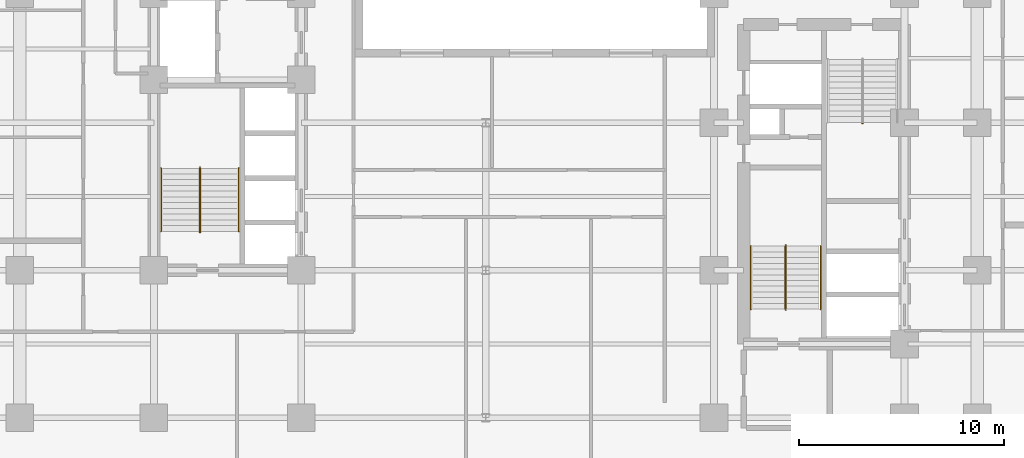
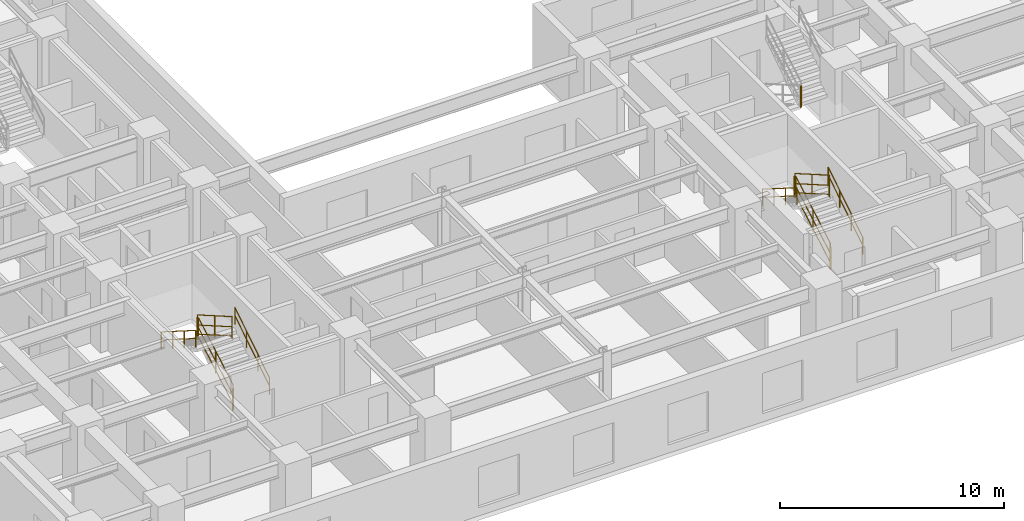
# One storey, part 7 of 9: 13 railings.
"""IFC4 building model written with IfcOpenShell, lengths in metres."""

from ifc_helpers import new_model, entity, si_unit, converted_unit, direction, frame, origin_with_axes, origin_2d_with_axis, place, context, subcontext, project, spatial, rectangle, circle, extrude, material, type_object, element, save


model = new_model("IFC4")

# Units and contexts
model_context = context("Model", 3, precision=1e-05, world=origin_with_axes(), true_north=direction((0.0, 1.0)))
body_context = subcontext(model_context, "Body", "Model", "MODEL_VIEW")
ifc_project = project(units=[si_unit("LENGTHUNIT", "METRE"), si_unit("AREAUNIT", "SQUARE_METRE"), si_unit("VOLUMEUNIT", "CUBIC_METRE"), converted_unit("PLANEANGLEUNIT", "DEGREE", entity("IfcPlaneAngleMeasure", 0.017453292519943295), si_unit("PLANEANGLEUNIT", "RADIAN"), dimensions=[0, 0, 0, 0, 0, 0, 0]), si_unit("MASSUNIT", "GRAM", prefix="KILO"), si_unit("THERMODYNAMICTEMPERATUREUNIT", "KELVIN")], contexts=[model_context])

# Site, building, storey
site_placement = place(None, origin_with_axes())
site = spatial("IfcSite", under=ifc_project, at=site_placement, CompositionType="ELEMENT")
building_placement = place(site_placement, origin_with_axes())
building = spatial("IfcBuilding", under=site, at=building_placement, Name="Varnlund Millrace Tower", CompositionType="ELEMENT")
storey_placement = place(building_placement, frame((0.0, 0.0, 60.0), z_axis=(0.0, 0.0, 1.0), x_axis=(1.0, 0.0, 0.0)))
storey = spatial("IfcBuildingStorey", under=building, at=storey_placement, Name="L14", CompositionType="ELEMENT", Elevation=60.0)

# Railings
ifc_material_1 = material(Name="Painted steel stair well balustrade guard", Category="steel")
railing_type_1 = type_object("IfcRailingType", Name="Type-StairGuard-1150", PredefinedType="GUARDRAIL", material=ifc_material_1)
railing_1_placement = place(storey_placement, frame((0.0, 0.0, -60.0), z_axis=(0.0, 0.0, 1.0), x_axis=(1.0, 0.0, 0.0)))
element("IfcRailing", 1, at=railing_1_placement, inside=storey, type_object=railing_type_1, Name="Type-StairGuard-1150", PredefinedType="GUARDRAIL", context=body_context, shape_type="SweptSolid", body=[
    extrude(circle(Radius=0.024, at=origin_2d_with_axis()), frame((13.675, 12.7, 61.327273), z_axis=(0.0, 0.866696, 0.498836), x_axis=(-1.0, 0.0, 0.0)), (0.0, 0.0, 1.0), 3.553725),
    extrude(circle(Radius=0.024, at=origin_2d_with_axis()), frame((13.675, 12.7, 60.277273), z_axis=(0.0, 0.866696, 0.498836), x_axis=(-1.0, 0.0, 0.0)), (0.0, 0.0, 1.0), 3.553725),
    extrude(circle(Radius=0.024, at=origin_2d_with_axis()), frame((13.675, 12.7, 60.775273), z_axis=(0.0, 0.866696, 0.498836), x_axis=(-1.0, 0.0, 0.0)), (0.0, 0.0, 1.0), 3.553725),
    extrude(rectangle(XDim=0.04, YDim=0.04, at=origin_2d_with_axis()), frame((13.675, 12.7, 60.137273), z_axis=(0.0, 0.0, 1.0), x_axis=(1.0, 0.0, 0.0)), (0.0, 0.0, 1.0), 1.19),
    extrude(rectangle(XDim=0.04, YDim=0.04, at=origin_2d_with_axis()), frame((13.675, 14.24, 61.023637), z_axis=(0.0, 0.0, 1.0), x_axis=(1.0, 0.0, 0.0)), (0.0, 0.0, 1.0), 1.19),
    extrude(rectangle(XDim=0.04, YDim=0.04, at=origin_2d_with_axis()), frame((13.675, 15.78, 61.91), z_axis=(0.0, 0.0, 1.0), x_axis=(1.0, 0.0, 0.0)), (0.0, 0.0, 1.0), 1.19),
])
railing_2_placement = place(storey_placement, frame((0.0, 0.0, -60.0), z_axis=(0.0, 0.0, 1.0), x_axis=(1.0, 0.0, 0.0)))
element("IfcRailing", 2, at=railing_2_placement, inside=storey, type_object=railing_type_1, Name="Type-StairGuard-1150", PredefinedType="GUARDRAIL", context=body_context, shape_type="SweptSolid", body=[
    extrude(circle(Radius=0.024, at=origin_2d_with_axis()), frame((13.625, 15.83, 63.1), z_axis=(1.0, 0.0, 0.0), x_axis=(0.0, 1.0, 0.0)), (0.0, 0.0, 1.0), 0.05),
    extrude(circle(Radius=0.024, at=origin_2d_with_axis()), frame((13.625, 15.83, 62.05), z_axis=(1.0, 0.0, 0.0), x_axis=(0.0, 1.0, 0.0)), (0.0, 0.0, 1.0), 0.05),
    extrude(circle(Radius=0.024, at=origin_2d_with_axis()), frame((13.625, 15.83, 62.548), z_axis=(1.0, 0.0, 0.0), x_axis=(0.0, 1.0, 0.0)), (0.0, 0.0, 1.0), 0.05),
    extrude(rectangle(XDim=0.04, YDim=0.04, at=origin_2d_with_axis()), frame((13.625, 15.83, 61.91), z_axis=(0.0, 0.0, 1.0), x_axis=(1.0, 0.0, 0.0)), (0.0, 0.0, 1.0), 1.19),
    extrude(rectangle(XDim=0.04, YDim=0.04, at=origin_2d_with_axis()), frame((13.675, 15.83, 61.91), z_axis=(0.0, 0.0, 1.0), x_axis=(1.0, 0.0, 0.0)), (0.0, 0.0, 1.0), 1.19),
])
railing_3_placement = place(storey_placement, frame((0.0, 0.0, -60.0), z_axis=(0.0, 0.0, 1.0), x_axis=(1.0, 0.0, 0.0)))
element("IfcRailing", 3, at=railing_3_placement, inside=storey, type_object=railing_type_1, Name="Type-StairGuard-1150", PredefinedType="GUARDRAIL", context=body_context, shape_type="SweptSolid", body=[
    extrude(circle(Radius=0.024, at=origin_2d_with_axis()), frame((13.625, 15.78, 63.277273), z_axis=(0.0, -0.866696, 0.498836), x_axis=(1.0, 0.0, 0.0)), (0.0, 0.0, 1.0), 3.553725),
    extrude(circle(Radius=0.024, at=origin_2d_with_axis()), frame((13.625, 15.78, 62.227273), z_axis=(0.0, -0.866696, 0.498836), x_axis=(1.0, 0.0, 0.0)), (0.0, 0.0, 1.0), 3.553725),
    extrude(circle(Radius=0.024, at=origin_2d_with_axis()), frame((13.625, 15.78, 62.725273), z_axis=(0.0, -0.866696, 0.498836), x_axis=(1.0, 0.0, 0.0)), (0.0, 0.0, 1.0), 3.553725),
    extrude(rectangle(XDim=0.04, YDim=0.04, at=origin_2d_with_axis()), frame((13.625, 15.78, 62.087273), z_axis=(0.0, 0.0, 1.0), x_axis=(1.0, 0.0, 0.0)), (0.0, 0.0, 1.0), 1.19),
    extrude(rectangle(XDim=0.04, YDim=0.04, at=origin_2d_with_axis()), frame((13.625, 14.24, 62.973637), z_axis=(0.0, 0.0, 1.0), x_axis=(1.0, 0.0, 0.0)), (0.0, 0.0, 1.0), 1.19),
    extrude(rectangle(XDim=0.04, YDim=0.04, at=origin_2d_with_axis()), frame((13.625, 12.7, 63.86), z_axis=(0.0, 0.0, 1.0), x_axis=(1.0, 0.0, 0.0)), (0.0, 0.0, 1.0), 1.19),
])
railing_4_placement = place(storey_placement, frame((0.0, 0.0, -60.0), z_axis=(0.0, 0.0, 1.0), x_axis=(1.0, 0.0, 0.0)))
element("IfcRailing", 4, at=railing_4_placement, inside=storey, type_object=railing_type_1, Name="Type-StairGuard-1150", PredefinedType="GUARDRAIL", context=body_context, shape_type="SweptSolid", body=[
    extrude(circle(Radius=0.024, at=origin_2d_with_axis()), frame((13.625, 12.65, 61.15), z_axis=(1.0, 0.0, 0.0), x_axis=(0.0, 1.0, 0.0)), (0.0, 0.0, 1.0), 0.05),
    extrude(circle(Radius=0.024, at=origin_2d_with_axis()), frame((13.625, 12.65, 60.1), z_axis=(1.0, 0.0, 0.0), x_axis=(0.0, 1.0, 0.0)), (0.0, 0.0, 1.0), 0.05),
    extrude(circle(Radius=0.024, at=origin_2d_with_axis()), frame((13.625, 12.65, 60.598), z_axis=(1.0, 0.0, 0.0), x_axis=(0.0, 1.0, 0.0)), (0.0, 0.0, 1.0), 0.05),
    extrude(rectangle(XDim=0.04, YDim=0.04, at=origin_2d_with_axis()), frame((13.625, 12.65, 59.96), z_axis=(0.0, 0.0, 1.0), x_axis=(1.0, 0.0, 0.0)), (0.0, 0.0, 1.0), 1.19),
    extrude(rectangle(XDim=0.04, YDim=0.04, at=origin_2d_with_axis()), frame((13.675, 12.65, 59.96), z_axis=(0.0, 0.0, 1.0), x_axis=(1.0, 0.0, 0.0)), (0.0, 0.0, 1.0), 1.19),
])
railing_5_placement = place(storey_placement, frame((0.0, 0.0, -60.0), z_axis=(0.0, 0.0, 1.0), x_axis=(1.0, 0.0, 0.0)))
element("IfcRailing", 5, at=railing_5_placement, inside=storey, type_object=railing_type_1, Name="Type-StairGuard-1150", PredefinedType="GUARDRAIL", context=body_context, shape_type="SweptSolid", body=[
    extrude(circle(Radius=0.024, at=origin_2d_with_axis()), frame((42.275, 8.9, 61.327273), z_axis=(0.0, 0.866696, 0.498836), x_axis=(-1.0, 0.0, 0.0)), (0.0, 0.0, 1.0), 3.553725),
    extrude(circle(Radius=0.024, at=origin_2d_with_axis()), frame((42.275, 8.9, 60.277273), z_axis=(0.0, 0.866696, 0.498836), x_axis=(-1.0, 0.0, 0.0)), (0.0, 0.0, 1.0), 3.553725),
    extrude(circle(Radius=0.024, at=origin_2d_with_axis()), frame((42.275, 8.9, 60.775273), z_axis=(0.0, 0.866696, 0.498836), x_axis=(-1.0, 0.0, 0.0)), (0.0, 0.0, 1.0), 3.553725),
    extrude(rectangle(XDim=0.04, YDim=0.04, at=origin_2d_with_axis()), frame((42.275, 8.9, 60.137273), z_axis=(0.0, 0.0, 1.0), x_axis=(1.0, 0.0, 0.0)), (0.0, 0.0, 1.0), 1.19),
    extrude(rectangle(XDim=0.04, YDim=0.04, at=origin_2d_with_axis()), frame((42.275, 10.44, 61.023637), z_axis=(0.0, 0.0, 1.0), x_axis=(1.0, 0.0, 0.0)), (0.0, 0.0, 1.0), 1.19),
    extrude(rectangle(XDim=0.04, YDim=0.04, at=origin_2d_with_axis()), frame((42.275, 11.98, 61.91), z_axis=(0.0, 0.0, 1.0), x_axis=(1.0, 0.0, 0.0)), (0.0, 0.0, 1.0), 1.19),
])
railing_6_placement = place(storey_placement, frame((0.0, 0.0, -60.0), z_axis=(0.0, 0.0, 1.0), x_axis=(1.0, 0.0, 0.0)))
element("IfcRailing", 6, at=railing_6_placement, inside=storey, type_object=railing_type_1, Name="Type-StairGuard-1150", PredefinedType="GUARDRAIL", context=body_context, shape_type="SweptSolid", body=[
    extrude(circle(Radius=0.024, at=origin_2d_with_axis()), frame((42.225, 12.03, 63.1), z_axis=(1.0, 0.0, 0.0), x_axis=(0.0, 1.0, 0.0)), (0.0, 0.0, 1.0), 0.05),
    extrude(circle(Radius=0.024, at=origin_2d_with_axis()), frame((42.225, 12.03, 62.05), z_axis=(1.0, 0.0, 0.0), x_axis=(0.0, 1.0, 0.0)), (0.0, 0.0, 1.0), 0.05),
    extrude(circle(Radius=0.024, at=origin_2d_with_axis()), frame((42.225, 12.03, 62.548), z_axis=(1.0, 0.0, 0.0), x_axis=(0.0, 1.0, 0.0)), (0.0, 0.0, 1.0), 0.05),
    extrude(rectangle(XDim=0.04, YDim=0.04, at=origin_2d_with_axis()), frame((42.225, 12.03, 61.91), z_axis=(0.0, 0.0, 1.0), x_axis=(1.0, 0.0, 0.0)), (0.0, 0.0, 1.0), 1.19),
    extrude(rectangle(XDim=0.04, YDim=0.04, at=origin_2d_with_axis()), frame((42.275, 12.03, 61.91), z_axis=(0.0, 0.0, 1.0), x_axis=(1.0, 0.0, 0.0)), (0.0, 0.0, 1.0), 1.19),
])
railing_7_placement = place(storey_placement, frame((0.0, 0.0, -60.0), z_axis=(0.0, 0.0, 1.0), x_axis=(1.0, 0.0, 0.0)))
element("IfcRailing", 7, at=railing_7_placement, inside=storey, type_object=railing_type_1, Name="Type-StairGuard-1150", PredefinedType="GUARDRAIL", context=body_context, shape_type="SweptSolid", body=[
    extrude(circle(Radius=0.024, at=origin_2d_with_axis()), frame((42.225, 11.98, 63.277273), z_axis=(0.0, -0.866696, 0.498836), x_axis=(1.0, 0.0, 0.0)), (0.0, 0.0, 1.0), 3.553725),
    extrude(circle(Radius=0.024, at=origin_2d_with_axis()), frame((42.225, 11.98, 62.227273), z_axis=(0.0, -0.866696, 0.498836), x_axis=(1.0, 0.0, 0.0)), (0.0, 0.0, 1.0), 3.553725),
    extrude(circle(Radius=0.024, at=origin_2d_with_axis()), frame((42.225, 11.98, 62.725273), z_axis=(0.0, -0.866696, 0.498836), x_axis=(1.0, 0.0, 0.0)), (0.0, 0.0, 1.0), 3.553725),
    extrude(rectangle(XDim=0.04, YDim=0.04, at=origin_2d_with_axis()), frame((42.225, 11.98, 62.087273), z_axis=(0.0, 0.0, 1.0), x_axis=(1.0, 0.0, 0.0)), (0.0, 0.0, 1.0), 1.19),
    extrude(rectangle(XDim=0.04, YDim=0.04, at=origin_2d_with_axis()), frame((42.225, 10.44, 62.973637), z_axis=(0.0, 0.0, 1.0), x_axis=(1.0, 0.0, 0.0)), (0.0, 0.0, 1.0), 1.19),
    extrude(rectangle(XDim=0.04, YDim=0.04, at=origin_2d_with_axis()), frame((42.225, 8.9, 63.86), z_axis=(0.0, 0.0, 1.0), x_axis=(1.0, 0.0, 0.0)), (0.0, 0.0, 1.0), 1.19),
])
railing_8_placement = place(storey_placement, frame((0.0, 0.0, -60.0), z_axis=(0.0, 0.0, 1.0), x_axis=(1.0, 0.0, 0.0)))
element("IfcRailing", 8, at=railing_8_placement, inside=storey, type_object=railing_type_1, Name="Type-StairGuard-1150", PredefinedType="GUARDRAIL", context=body_context, shape_type="SweptSolid", body=[
    extrude(circle(Radius=0.024, at=origin_2d_with_axis()), frame((42.225, 8.85, 61.15), z_axis=(1.0, 0.0, 0.0), x_axis=(0.0, 1.0, 0.0)), (0.0, 0.0, 1.0), 0.05),
    extrude(circle(Radius=0.024, at=origin_2d_with_axis()), frame((42.225, 8.85, 60.1), z_axis=(1.0, 0.0, 0.0), x_axis=(0.0, 1.0, 0.0)), (0.0, 0.0, 1.0), 0.05),
    extrude(circle(Radius=0.024, at=origin_2d_with_axis()), frame((42.225, 8.85, 60.598), z_axis=(1.0, 0.0, 0.0), x_axis=(0.0, 1.0, 0.0)), (0.0, 0.0, 1.0), 0.05),
    extrude(rectangle(XDim=0.04, YDim=0.04, at=origin_2d_with_axis()), frame((42.225, 8.85, 59.96), z_axis=(0.0, 0.0, 1.0), x_axis=(1.0, 0.0, 0.0)), (0.0, 0.0, 1.0), 1.19),
    extrude(rectangle(XDim=0.04, YDim=0.04, at=origin_2d_with_axis()), frame((42.275, 8.85, 59.96), z_axis=(0.0, 0.0, 1.0), x_axis=(1.0, 0.0, 0.0)), (0.0, 0.0, 1.0), 1.19),
])
railing_9_placement = place(storey_placement, frame((0.0, 0.0, -60.0), z_axis=(0.0, 0.0, 1.0), x_axis=(1.0, 0.0, 0.0)))
element("IfcRailing", 9, at=railing_9_placement, inside=storey, type_object=railing_type_1, Name="Type-StairGuard-1150", PredefinedType="GUARDRAIL", context=body_context, shape_type="SweptSolid", body=[
    extrude(circle(Radius=0.024, at=origin_2d_with_axis()), frame((46.025, 17.97, 63.1), z_axis=(-1.0, 0.0, 0.0), x_axis=(0.0, -1.0, 0.0)), (0.0, 0.0, 1.0), 0.05),
    extrude(circle(Radius=0.024, at=origin_2d_with_axis()), frame((46.025, 17.97, 62.05), z_axis=(-1.0, 0.0, 0.0), x_axis=(0.0, -1.0, 0.0)), (0.0, 0.0, 1.0), 0.05),
    extrude(circle(Radius=0.024, at=origin_2d_with_axis()), frame((46.025, 17.97, 62.548), z_axis=(-1.0, 0.0, 0.0), x_axis=(0.0, -1.0, 0.0)), (0.0, 0.0, 1.0), 0.05),
    extrude(rectangle(XDim=0.04, YDim=0.04, at=origin_2d_with_axis()), frame((46.025, 17.97, 61.91), z_axis=(0.0, 0.0, 1.0), x_axis=(1.0, 0.0, 0.0)), (0.0, 0.0, 1.0), 1.19),
    extrude(rectangle(XDim=0.04, YDim=0.04, at=origin_2d_with_axis()), frame((45.975, 17.97, 61.91), z_axis=(0.0, 0.0, 1.0), x_axis=(1.0, 0.0, 0.0)), (0.0, 0.0, 1.0), 1.19),
])
ifc_material_2 = material(Name="Brushed architectural bronze stair handrail", Category="aluminium")
railing_type_2 = type_object("IfcRailingType", Name="Type-StairHandrail-900", PredefinedType="HANDRAIL", material=ifc_material_2)
railing_10_placement = place(storey_placement, frame((0.0, 0.0, -60.0), z_axis=(0.0, 0.0, 1.0), x_axis=(1.0, 0.0, 0.0)))
element("IfcRailing", 10, at=railing_10_placement, inside=storey, type_object=railing_type_2, Name="Type-StairHandrail-900", PredefinedType="HANDRAIL", context=body_context, shape_type="SweptSolid", body=[
    extrude(circle(Radius=0.024, at=origin_2d_with_axis()), frame((15.55, 12.7, 61.056995), z_axis=(0.0, 0.844902, 0.534922), x_axis=(-1.0, 0.0, 0.0)), (0.0, 0.0, 1.0), 3.645394),
    extrude(circle(Radius=0.024, at=origin_2d_with_axis()), frame((15.55, 12.7, 60.617134), z_axis=(0.0, 0.844902, 0.534922), x_axis=(-1.0, 0.0, 0.0)), (0.0, 0.0, 1.0), 3.645394),
    extrude(rectangle(XDim=0.04, YDim=0.04, at=origin_2d_with_axis()), frame((15.55, 12.7, 60.137273), z_axis=(0.0, 0.0, 1.0), x_axis=(1.0, 0.0, 0.0)), (0.0, 0.0, 1.0), 0.919722),
    extrude(rectangle(XDim=0.04, YDim=0.04, at=origin_2d_with_axis()), frame((15.55, 13.726667, 60.787273), z_axis=(0.0, 0.0, 1.0), x_axis=(1.0, 0.0, 0.0)), (0.0, 0.0, 1.0), 0.919722),
    extrude(rectangle(XDim=0.04, YDim=0.04, at=origin_2d_with_axis()), frame((15.55, 14.753333, 61.437273), z_axis=(0.0, 0.0, 1.0), x_axis=(1.0, 0.0, 0.0)), (0.0, 0.0, 1.0), 0.919722),
    extrude(rectangle(XDim=0.04, YDim=0.04, at=origin_2d_with_axis()), frame((15.55, 15.78, 62.087273), z_axis=(0.0, 0.0, 1.0), x_axis=(1.0, 0.0, 0.0)), (0.0, 0.0, 1.0), 0.919722),
])
railing_11_placement = place(storey_placement, frame((0.0, 0.0, -60.0), z_axis=(0.0, 0.0, 1.0), x_axis=(1.0, 0.0, 0.0)))
element("IfcRailing", 11, at=railing_11_placement, inside=storey, type_object=railing_type_2, Name="Type-StairHandrail-900", PredefinedType="HANDRAIL", context=body_context, shape_type="SweptSolid", body=[
    extrude(circle(Radius=0.024, at=origin_2d_with_axis()), frame((11.75, 15.78, 63.006995), z_axis=(0.0, -0.844902, 0.534922), x_axis=(1.0, 0.0, 0.0)), (0.0, 0.0, 1.0), 3.645394),
    extrude(circle(Radius=0.024, at=origin_2d_with_axis()), frame((11.75, 15.78, 62.567134), z_axis=(0.0, -0.844902, 0.534922), x_axis=(1.0, 0.0, 0.0)), (0.0, 0.0, 1.0), 3.645394),
    extrude(rectangle(XDim=0.04, YDim=0.04, at=origin_2d_with_axis()), frame((11.75, 15.78, 62.087273), z_axis=(0.0, 0.0, 1.0), x_axis=(1.0, 0.0, 0.0)), (0.0, 0.0, 1.0), 0.919722),
    extrude(rectangle(XDim=0.04, YDim=0.04, at=origin_2d_with_axis()), frame((11.75, 14.753333, 62.737273), z_axis=(0.0, 0.0, 1.0), x_axis=(1.0, 0.0, 0.0)), (0.0, 0.0, 1.0), 0.919722),
    extrude(rectangle(XDim=0.04, YDim=0.04, at=origin_2d_with_axis()), frame((11.75, 13.726667, 63.387273), z_axis=(0.0, 0.0, 1.0), x_axis=(1.0, 0.0, 0.0)), (0.0, 0.0, 1.0), 0.919722),
    extrude(rectangle(XDim=0.04, YDim=0.04, at=origin_2d_with_axis()), frame((11.75, 12.7, 64.037273), z_axis=(0.0, 0.0, 1.0), x_axis=(1.0, 0.0, 0.0)), (0.0, 0.0, 1.0), 0.919722),
])
railing_12_placement = place(storey_placement, frame((0.0, 0.0, -60.0), z_axis=(0.0, 0.0, 1.0), x_axis=(1.0, 0.0, 0.0)))
element("IfcRailing", 12, at=railing_12_placement, inside=storey, type_object=railing_type_2, Name="Type-StairHandrail-900", PredefinedType="HANDRAIL", context=body_context, shape_type="SweptSolid", body=[
    extrude(circle(Radius=0.024, at=origin_2d_with_axis()), frame((43.95, 8.9, 61.056995), z_axis=(0.0, 0.844902, 0.534922), x_axis=(-1.0, 0.0, 0.0)), (0.0, 0.0, 1.0), 3.645394),
    extrude(circle(Radius=0.024, at=origin_2d_with_axis()), frame((43.95, 8.9, 60.617134), z_axis=(0.0, 0.844902, 0.534922), x_axis=(-1.0, 0.0, 0.0)), (0.0, 0.0, 1.0), 3.645394),
    extrude(rectangle(XDim=0.04, YDim=0.04, at=origin_2d_with_axis()), frame((43.95, 8.9, 60.137273), z_axis=(0.0, 0.0, 1.0), x_axis=(1.0, 0.0, 0.0)), (0.0, 0.0, 1.0), 0.919722),
    extrude(rectangle(XDim=0.04, YDim=0.04, at=origin_2d_with_axis()), frame((43.95, 9.926667, 60.787273), z_axis=(0.0, 0.0, 1.0), x_axis=(1.0, 0.0, 0.0)), (0.0, 0.0, 1.0), 0.919722),
    extrude(rectangle(XDim=0.04, YDim=0.04, at=origin_2d_with_axis()), frame((43.95, 10.953333, 61.437273), z_axis=(0.0, 0.0, 1.0), x_axis=(1.0, 0.0, 0.0)), (0.0, 0.0, 1.0), 0.919722),
    extrude(rectangle(XDim=0.04, YDim=0.04, at=origin_2d_with_axis()), frame((43.95, 11.98, 62.087273), z_axis=(0.0, 0.0, 1.0), x_axis=(1.0, 0.0, 0.0)), (0.0, 0.0, 1.0), 0.919722),
])
railing_13_placement = place(storey_placement, frame((0.0, 0.0, -60.0), z_axis=(0.0, 0.0, 1.0), x_axis=(1.0, 0.0, 0.0)))
element("IfcRailing", 13, at=railing_13_placement, inside=storey, type_object=railing_type_2, Name="Type-StairHandrail-900", PredefinedType="HANDRAIL", context=body_context, shape_type="SweptSolid", body=[
    extrude(circle(Radius=0.024, at=origin_2d_with_axis()), frame((40.55, 11.98, 63.006995), z_axis=(0.0, -0.844902, 0.534922), x_axis=(1.0, 0.0, 0.0)), (0.0, 0.0, 1.0), 3.645394),
    extrude(circle(Radius=0.024, at=origin_2d_with_axis()), frame((40.55, 11.98, 62.567134), z_axis=(0.0, -0.844902, 0.534922), x_axis=(1.0, 0.0, 0.0)), (0.0, 0.0, 1.0), 3.645394),
    extrude(rectangle(XDim=0.04, YDim=0.04, at=origin_2d_with_axis()), frame((40.55, 11.98, 62.087273), z_axis=(0.0, 0.0, 1.0), x_axis=(1.0, 0.0, 0.0)), (0.0, 0.0, 1.0), 0.919722),
    extrude(rectangle(XDim=0.04, YDim=0.04, at=origin_2d_with_axis()), frame((40.55, 10.953333, 62.737273), z_axis=(0.0, 0.0, 1.0), x_axis=(1.0, 0.0, 0.0)), (0.0, 0.0, 1.0), 0.919722),
    extrude(rectangle(XDim=0.04, YDim=0.04, at=origin_2d_with_axis()), frame((40.55, 9.926667, 63.387273), z_axis=(0.0, 0.0, 1.0), x_axis=(1.0, 0.0, 0.0)), (0.0, 0.0, 1.0), 0.919722),
    extrude(rectangle(XDim=0.04, YDim=0.04, at=origin_2d_with_axis()), frame((40.55, 8.9, 64.037273), z_axis=(0.0, 0.0, 1.0), x_axis=(1.0, 0.0, 0.0)), (0.0, 0.0, 1.0), 0.919722),
])

save(model, "model.ifc")
